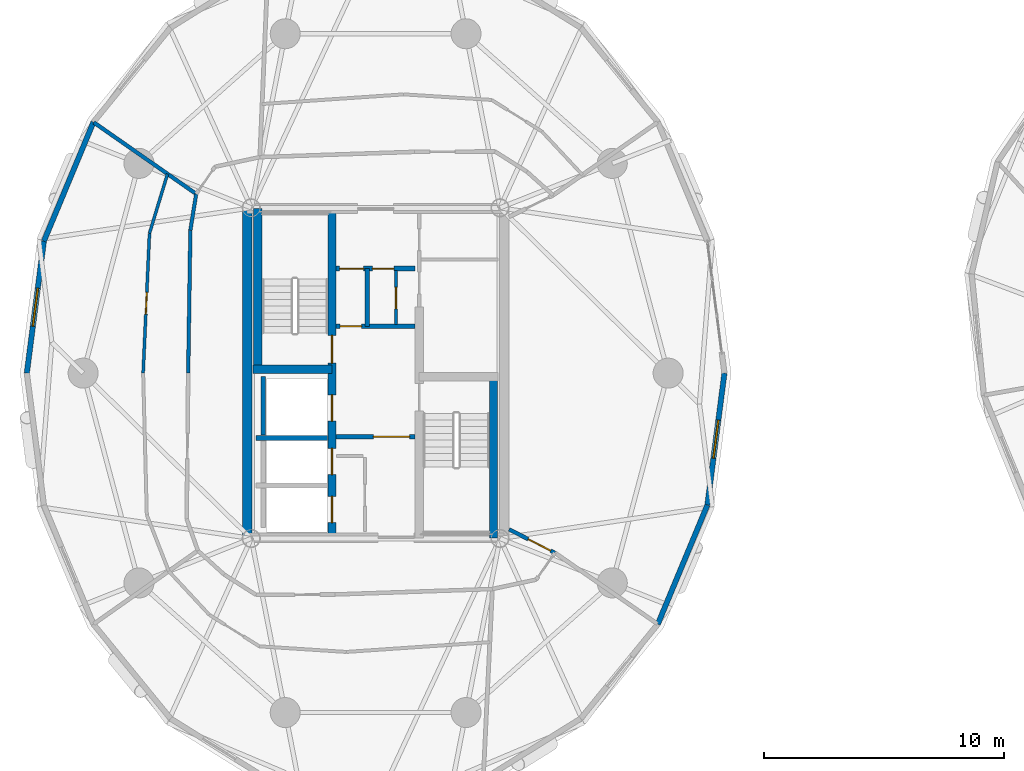
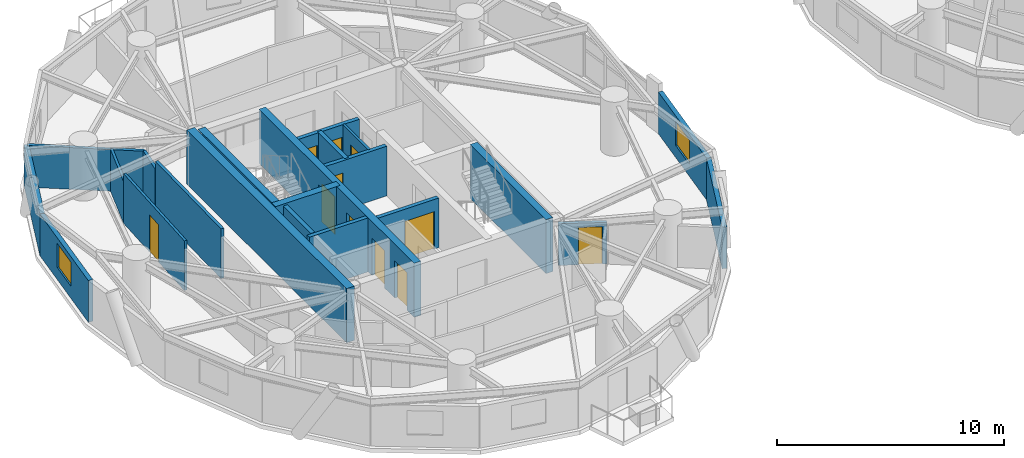
# One storey, part 9 of 17: 22 walls, 11 doors, 2 windows, 13 openings.
"""IFC4 building model written with IfcOpenShell, lengths in metres."""

from ifc_helpers import new_model, si_unit, direction, frame, frame_2d, origin, place, context, subcontext, project, spatial, rectangle, extrude, source, transform, mapped, material, layer, layer_set, type_object, element, fill, save


model = new_model("IFC4")

# Units and contexts
model_context = context("Model", 3, precision=1e-05, world=origin(), true_north=direction((0.0, 1.0)))
body_context = subcontext(model_context, "Body", "Model", "MODEL_VIEW")
ifc_project = project(units=[si_unit("LENGTHUNIT", "METRE"), si_unit("AREAUNIT", "SQUARE_METRE"), si_unit("VOLUMEUNIT", "CUBIC_METRE"), si_unit("PLANEANGLEUNIT", "RADIAN"), si_unit("MASSUNIT", "GRAM", prefix="KILO")], contexts=[model_context])

# Site, building, storey
site_placement = place(None, origin())
site = spatial("IfcSite", under=ifc_project, at=site_placement, CompositionType="ELEMENT")
building_placement = place(site_placement, origin())
building = spatial("IfcBuilding", under=site, at=building_placement, Name="Cununo Teusaquillo Station Towers", CompositionType="ELEMENT")
storey_placement = place(building_placement, frame((0.0, 0.0, 163.239990234375)))
storey = spatial("IfcBuildingStorey", under=building, at=storey_placement, Name="L51", CompositionType="ELEMENT", Elevation=163.239990234375)

# Walls
ifc_material_1 = material(Name="Concrete C50/60", Category="concrete")
ifc_layer_1 = layer(ifc_material_1, 0.199951171875)
ifc_layer_set_1 = layer_set([ifc_layer_1], Name="Concrete C50/60")
wall_type_1 = type_object("IfcWallType", Name="WL-CORE-200", PredefinedType="SHEAR", material=ifc_layer_set_1)
wall_1_placement = place(storey_placement, frame((11.52001953125, 21.800048828125, 0.0), z_axis=(0.0, 0.0, 1.0), x_axis=(1.0, 0.0, 0.0)))
element("IfcWall", 1, at=wall_1_placement, inside=storey, type_object=wall_type_1, Name="L51 Tower A Firefighting Lift Shaft South Shear Wall", PredefinedType="SHEAR", context=body_context, shape_type="SweptSolid", body=[
    extrude(rectangle(XDim=2.969970703125, YDim=0.199951171875, at=frame_2d((1.48486328125, 0.0))), origin(), (0.0, 0.0, 1.0), 2.909912109375),
])
wall_2_placement = place(storey_placement, frame((11.820068359375, 21.919921875, 0.0), z_axis=(0.0, 0.0, 1.0), x_axis=(0.0, 1.0, 0.0)))
element("IfcWall", 2, at=wall_2_placement, inside=storey, type_object=wall_type_1, Name="L51 Tower A Firefighting Lift Shaft Rear Shear Wall", PredefinedType="SHEAR", context=body_context, shape_type="SweptSolid", body=[
    extrude(rectangle(XDim=2.440185546875, YDim=0.199951171875, at=frame_2d((1.22021484375, 0.0))), origin(), (0.0, 0.0, 1.0), 2.909912109375),
])

# Wall, openings, doors
ifc_material_2 = material(Name="Concrete C50/60", Category="concrete")
ifc_layer_2 = layer(ifc_material_2, 0.35009765625)
ifc_layer_set_2 = layer_set([ifc_layer_2], Name="Concrete C50/60")
wall_type_2 = type_object("IfcWallType", Name="WL-CORE-350", PredefinedType="SHEAR", material=ifc_layer_set_2)
wall_3_placement = place(storey_placement, frame((14.68505859375, 17.64990234375, 0.0), z_axis=(0.0, 0.0, 1.0), x_axis=(0.0, 1.0, 0.0)))
wall_3 = element("IfcWall", 3, at=wall_3_placement, inside=storey, type_object=wall_type_2, Name="L51 Tower A Core Shear Wall IW", PredefinedType="SHEAR", context=body_context, shape_type="SweptSolid", body=[
    extrude(rectangle(XDim=13.7001953125, YDim=0.35009765625, at=frame_2d((6.85009765625, 0.0))), origin(), (0.0, 0.0, 1.0), 2.909912109375),
])
shared_shape_1 = source(origin(), body_context, "Body", "SweptSolid", [
    extrude(rectangle(XDim=1.10009765625, YDim=2.014892578125, at=frame_2d((0.550048828125, 1.00732421875))), frame((0.0, 0.18505859375, 0.0), z_axis=(0.0, -1.0, 0.0), x_axis=(1.0, 0.0, 0.0)), (0.0, 0.0, 1.0), 0.3701171875),
])
opening_1_placement = place(wall_3_placement, frame((4.85009765625, 0.0, 0.0)))
opening_1 = element("IfcOpeningElement", 4, at=opening_1_placement, cuts=wall_3, Name="Opening LD-01", PredefinedType="OPENING", context=body_context, shape_type="MappedRepresentation", body=[
    mapped(shared_shape_1, transform((0.0, 0.0, 0.0), x_axis=(1.0, 0.0, 0.0), y_axis=(0.0, 1.0, 0.0), z_axis=(0.0, 0.0, 1.0), scale=1.0)),
])
opening_2_placement = place(wall_3_placement, frame((0.625, 0.0, 0.0)))
opening_2 = element("IfcOpeningElement", 5, at=opening_2_placement, cuts=wall_3, Name="Opening LD-01", PredefinedType="OPENING", context=body_context, shape_type="MappedRepresentation", body=[
    mapped(shared_shape_1, transform((0.0, 0.0, 0.0), x_axis=(1.0, 0.0, 0.0), y_axis=(0.0, 1.0, 0.0), z_axis=(0.0, 0.0, 1.0), scale=1.0)),
])
opening_3_placement = place(wall_3_placement, frame((2.625, 0.0, 0.0)))
opening_3 = element("IfcOpeningElement", 6, at=opening_3_placement, cuts=wall_3, Name="Opening LD-01", PredefinedType="OPENING", context=body_context, shape_type="MappedRepresentation", body=[
    mapped(shared_shape_1, transform((0.0, 0.0, 0.0), x_axis=(1.0, 0.0, 0.0), y_axis=(0.0, 1.0, 0.0), z_axis=(0.0, 0.0, 1.0), scale=1.0)),
])
shared_shape_2 = source(origin(), body_context, "Body", "SweptSolid", [
    extrude(rectangle(XDim=1.14990234375, YDim=2.02001953125, at=frame_2d((0.574951171875, 1.010009765625))), frame((0.0, 0.18505859375, 0.0), z_axis=(0.0, -1.0, 0.0), x_axis=(1.0, 0.0, 0.0)), (0.0, 0.0, 1.0), 0.3701171875),
])
opening_4_placement = place(wall_3_placement, frame((7.27001953125, 0.0, 0.0)))
opening_4 = element("IfcOpeningElement", 7, at=opening_4_placement, cuts=wall_3, Name="Opening D-ST1", PredefinedType="OPENING", context=body_context, shape_type="MappedRepresentation", body=[
    mapped(shared_shape_2, transform((0.0, 0.0, 0.0), x_axis=(1.0, 0.0, 0.0), y_axis=(0.0, 1.0, 0.0), z_axis=(0.0, 0.0, 1.0), scale=1.0)),
])
ifc_material_3 = material(Name="Galvanised fire-rated hollow steel door assembly", Category="steel")
door_type_1 = type_object("IfcDoorType", Name="DR-LIFT-1100", OperationType="SLIDING_TO_LEFT", PredefinedType="DOOR", material=ifc_material_3)
shared_shape_3 = source(origin(), body_context, "Body", "SweptSolid", [
    extrude(rectangle(XDim=1.10009765625, YDim=2.014892578125, at=frame_2d((0.550048828125, 1.00732421875))), frame((0.0, 0.02490234375, 0.0), z_axis=(0.0, -1.0, 0.0), x_axis=(1.0, 0.0, 0.0)), (0.0, 0.0, 1.0), 0.050048828125),
])
door_1_placement = place(opening_1_placement, origin())
door_1 = element("IfcDoor", 8, at=door_1_placement, inside=storey, type_object=door_type_1, Name="L51 Lift FL-T1 Sliding Landing Door", OperationType="SLIDING_TO_RIGHT", OverallHeight=2.014892578125, OverallWidth=1.10009765625, PredefinedType="DOOR", context=body_context, shape_type="MappedRepresentation", body=[
    mapped(shared_shape_3, transform((0.0, 0.0, 0.0), x_axis=(1.0, 0.0, 0.0), y_axis=(0.0, 1.0, 0.0), z_axis=(0.0, 0.0, 1.0), scale=1.0)),
])
fill(opening_1, door_1)
door_2_placement = place(opening_2_placement, origin())
door_2 = element("IfcDoor", 9, at=door_2_placement, inside=storey, type_object=door_type_1, Name="L51 Lift PL-T1-H1 Sliding Landing Door", OperationType="SLIDING_TO_LEFT", OverallHeight=2.014892578125, OverallWidth=1.10009765625, PredefinedType="DOOR", context=body_context, shape_type="MappedRepresentation", body=[
    mapped(shared_shape_3, transform((0.0, 0.0, 0.0), x_axis=(1.0, 0.0, 0.0), y_axis=(0.0, 1.0, 0.0), z_axis=(0.0, 0.0, 1.0), scale=1.0)),
])
fill(opening_2, door_2)
door_3_placement = place(opening_3_placement, origin())
door_3 = element("IfcDoor", 10, at=door_3_placement, inside=storey, type_object=door_type_1, Name="L51 Lift PL-T1-H2 Sliding Landing Door", OperationType="SLIDING_TO_RIGHT", OverallHeight=2.014892578125, OverallWidth=1.10009765625, PredefinedType="DOOR", context=body_context, shape_type="MappedRepresentation", body=[
    mapped(shared_shape_3, transform((0.0, 0.0, 0.0), x_axis=(1.0, 0.0, 0.0), y_axis=(0.0, 1.0, 0.0), z_axis=(0.0, 0.0, 1.0), scale=1.0)),
])
fill(opening_3, door_3)
ifc_material_4 = material(Name="Galvanised fire-rated hollow steel door assembly", Category="steel")
door_type_2 = type_object("IfcDoorType", Name="DR-STAIR-1150", OperationType="NOTDEFINED", PredefinedType="DOOR", material=ifc_material_4)
shared_shape_4 = source(origin(), body_context, "Body", "SweptSolid", [
    extrude(rectangle(XDim=1.14990234375, YDim=2.02001953125, at=frame_2d((0.574951171875, 1.010009765625))), frame((0.0, 0.02490234375, 0.0), z_axis=(0.0, -1.0, 0.0), x_axis=(1.0, 0.0, 0.0)), (0.0, 0.0, 1.0), 0.050048828125),
])
door_4_placement = place(opening_4_placement, origin())
door_4 = element("IfcDoor", 11, at=door_4_placement, inside=storey, type_object=door_type_2, Name="L51 Tower A Exit Stair 1 Fire Door", OperationType="SINGLE_SWING_RIGHT", OverallHeight=2.02001953125, OverallWidth=1.14990234375, PredefinedType="DOOR", context=body_context, shape_type="MappedRepresentation", body=[
    mapped(shared_shape_4, transform((0.0, 0.0, 0.0), x_axis=(1.0, 0.0, 0.0), y_axis=(0.0, 1.0, 0.0), z_axis=(0.0, 0.0, 1.0), scale=1.0)),
])
fill(opening_4, door_4)

# Walls
wall_4_placement = place(storey_placement, frame((11.594970703125, 24.655029296875, 0.0), z_axis=(0.0, 0.0, 1.0), x_axis=(0.0, 1.0, 0.0)))
element("IfcWall", 12, at=wall_4_placement, inside=storey, type_object=wall_type_2, Name="L51 Tower A Core Shear Wall ST1W", PredefinedType="SHEAR", context=body_context, shape_type="SweptSolid", body=[
    extrude(rectangle(XDim=6.695068359375, YDim=0.35009765625, at=frame_2d((3.34765625, 0.0))), origin(), (0.0, 0.0, 1.0), 2.909912109375),
])
wall_5_placement = place(storey_placement, frame((11.39990234375, 24.655029296875, 0.0), z_axis=(0.0, 0.0, 1.0), x_axis=(1.0, 0.0, 0.0)))
element("IfcWall", 13, at=wall_5_placement, inside=storey, type_object=wall_type_2, Name="L51 Tower A Core Shear Wall ST1S", PredefinedType="SHEAR", context=body_context, shape_type="SweptSolid", body=[
    extrude(rectangle(XDim=3.28515625, YDim=0.35009765625, at=frame_2d((1.642578125, 0.0))), origin(), (0.0, 0.0, 1.0), 2.909912109375),
])
wall_6_placement = place(storey_placement, frame((21.405029296875, 17.64990234375, 0.0), z_axis=(0.0, 0.0, 1.0), x_axis=(0.0, 1.0, 0.0)))
element("IfcWall", 14, at=wall_6_placement, inside=storey, type_object=wall_type_2, Name="L51 Tower A Core Shear Wall ST2E", PredefinedType="SHEAR", context=body_context, shape_type="SweptSolid", body=[
    extrude(rectangle(XDim=6.695068359375, YDim=0.35009765625, at=frame_2d((3.34765625, 0.0))), origin(), (0.0, 0.0, 1.0), 2.909912109375),
])
ifc_material_5 = material(Name="Concrete C50/60", Category="concrete")
ifc_layer_3 = layer(ifc_material_5, 0.39990234375)
ifc_layer_set_3 = layer_set([ifc_layer_3], Name="Concrete C50/60")
wall_type_3 = type_object("IfcWallType", Name="WL-CORE-400", PredefinedType="SHEAR", material=ifc_layer_set_3)
wall_7_placement = place(storey_placement, frame((11.14990234375, 17.449951171875, 0.0), z_axis=(0.0, 0.0, 1.0), x_axis=(0.0, 1.0, 0.0)))
element("IfcWall", 15, at=wall_7_placement, inside=storey, type_object=wall_type_3, Name="L51 Tower A Core Shear Wall W", PredefinedType="SHEAR", context=body_context, shape_type="SweptSolid", body=[
    extrude(rectangle(XDim=14.10009765625, YDim=0.39990234375, at=frame_2d((7.050048828125, 0.0))), origin(), (0.0, 0.0, 1.0), 2.909912109375),
])
ifc_material_6 = material(Name="Precast concrete C40/50", Category="concrete")
ifc_layer_4 = layer(ifc_material_6, 0.219970703125)
ifc_layer_set_4 = layer_set([ifc_layer_4], Name="Precast concrete C40/50")
wall_type_4 = type_object("IfcWallType", Name="WL-EXT-220", PredefinedType="SOLIDWALL", material=ifc_layer_set_4)
wall_8_placement = place(storey_placement, frame((2.6953125, 29.9912109375, 0.0), z_axis=(0.0, 0.0, 1.0), x_axis=(0.384259959969, 0.923224936386, 0.0)))
element("IfcWall", 16, at=wall_8_placement, inside=storey, type_object=wall_type_4, Name="L51 Tower A Exterior Facade Wall C08", PredefinedType="SOLIDWALL", context=body_context, shape_type="SweptSolid", body=[
    extrude(rectangle(XDim=5.365478515625, YDim=0.219970703125, at=frame_2d((2.6826171875, 0.0))), origin(), (0.0, 0.0, 1.0), 2.2451171875),
])

# Wall, opening, window
wall_9_placement = place(storey_placement, frame((1.985107421875, 24.5, 0.0), z_axis=(0.0, 0.0, 1.0), x_axis=(0.128266533912, 0.991739732126, 0.0)))
wall_9 = element("IfcWall", 17, at=wall_9_placement, inside=storey, type_object=wall_type_4, Name="L51 Tower A Exterior Facade Wall C09", PredefinedType="SOLIDWALL", context=body_context, shape_type="SweptSolid", body=[
    extrude(rectangle(XDim=5.536865234375, YDim=0.219970703125, at=frame_2d((2.7685546875, 0.0))), origin(), (0.0, 0.0, 1.0), 2.2451171875),
])
shared_shape_5 = source(origin(), body_context, "Body", "SweptSolid", [
    extrude(rectangle(XDim=1.60009765625, YDim=1.300048828125, at=frame_2d((0.800048828125, 0.64990234375))), frame((0.0, 0.119873046875, 0.0), z_axis=(0.0, -1.0, 0.0), x_axis=(1.0, 0.0, 0.0)), (0.0, 0.0, 1.0), 0.239990234375),
])
opening_5_placement = place(wall_9_placement, frame((1.968017578125, 0.0, 0.64990234375)))
opening_5 = element("IfcOpeningElement", 18, at=opening_5_placement, cuts=wall_9, Name="Opening WN-03", PredefinedType="OPENING", context=body_context, shape_type="MappedRepresentation", body=[
    mapped(shared_shape_5, transform((0.0, 0.0, 0.0), x_axis=(1.0, 0.0, 0.0), y_axis=(0.0, 1.0, 0.0), z_axis=(0.0, 0.0, 1.0), scale=1.0)),
])
ifc_material_7 = material(Name="Ceramic-fritted dark low-E double glazing", Category="glass")
window_type = type_object("IfcWindowType", Name="WIN-CORN-1600", PartitioningType="SINGLE_PANEL", PredefinedType="WINDOW", material=ifc_material_7)
shared_shape_6 = source(origin(), body_context, "Body", "SweptSolid", [
    extrude(rectangle(XDim=1.60009765625, YDim=1.300048828125, at=frame_2d((0.800048828125, 0.64990234375))), frame((0.0, 0.030029296875, 0.0), z_axis=(0.0, -1.0, 0.0), x_axis=(1.0, 0.0, 0.0)), (0.0, 0.0, 1.0), 0.06005859375),
])
window_1_placement = place(opening_5_placement, origin())
window_1 = element("IfcWindow", 19, at=window_1_placement, inside=storey, type_object=window_type, Name="L51 Tower A Facade Window C09", OverallHeight=1.300048828125, OverallWidth=1.60009765625, PartitioningType="SINGLE_PANEL", PredefinedType="WINDOW", context=body_context, shape_type="MappedRepresentation", body=[
    mapped(shared_shape_6, transform((0.0, 0.0, 0.0), x_axis=(1.0, 0.0, 0.0), y_axis=(0.0, 1.0, 0.0), z_axis=(0.0, 0.0, 1.0), scale=1.0)),
])
fill(opening_5, window_1)

# Wall
wall_10_placement = place(storey_placement, frame((30.3046875, 19.0087890625, 0.0), z_axis=(0.0, 0.0, 1.0), x_axis=(-0.384259959969, -0.923224936386, 0.0)))
element("IfcWall", 20, at=wall_10_placement, inside=storey, type_object=wall_type_4, Name="L51 Tower A Exterior Facade Wall C18", PredefinedType="SOLIDWALL", context=body_context, shape_type="SweptSolid", body=[
    extrude(rectangle(XDim=5.365478515625, YDim=0.219970703125, at=frame_2d((2.6826171875, 0.0))), origin(), (0.0, 0.0, 1.0), 2.2451171875),
])

# Wall, opening, window
wall_11_placement = place(storey_placement, frame((31.014892578125, 24.5, 0.0), z_axis=(0.0, 0.0, 1.0), x_axis=(-0.128266533912, -0.991739732126, 0.0)))
wall_11 = element("IfcWall", 21, at=wall_11_placement, inside=storey, type_object=wall_type_4, Name="L51 Tower A Exterior Facade Wall C19", PredefinedType="SOLIDWALL", context=body_context, shape_type="SweptSolid", body=[
    extrude(rectangle(XDim=5.536865234375, YDim=0.219970703125, at=frame_2d((2.7685546875, 0.0))), origin(), (0.0, 0.0, 1.0), 2.2451171875),
])
opening_6_placement = place(wall_11_placement, frame((1.968017578125, 0.0, 0.64990234375)))
opening_6 = element("IfcOpeningElement", 22, at=opening_6_placement, cuts=wall_11, Name="Opening WN-03", PredefinedType="OPENING", context=body_context, shape_type="MappedRepresentation", body=[
    mapped(shared_shape_5, transform((0.0, 0.0, 0.0), x_axis=(1.0, 0.0, 0.0), y_axis=(0.0, 1.0, 0.0), z_axis=(0.0, 0.0, 1.0), scale=1.0)),
])
window_2_placement = place(opening_6_placement, origin())
window_2 = element("IfcWindow", 23, at=window_2_placement, inside=storey, type_object=window_type, Name="L51 Tower A Facade Window C19", OverallHeight=1.300048828125, OverallWidth=1.60009765625, PartitioningType="SINGLE_PANEL", PredefinedType="WINDOW", context=body_context, shape_type="MappedRepresentation", body=[
    mapped(shared_shape_6, transform((0.0, 0.0, 0.0), x_axis=(1.0, 0.0, 0.0), y_axis=(0.0, 1.0, 0.0), z_axis=(0.0, 0.0, 1.0), scale=1.0)),
])
fill(opening_6, window_2)

# Wall, opening, door
ifc_material_8 = material(Name="Fire-rated gypsum plasterboard partition assembly", Category="gypsum")
ifc_layer_5 = layer(ifc_material_8, 0.125)
ifc_layer_set_5 = layer_set([ifc_layer_5], Name="Fire-rated gypsum plasterboard partition assembly")
wall_type_5 = type_object("IfcWallType", Name="WL-PART-125", PredefinedType="PARTITIONING", material=ifc_layer_set_5)
wall_12_placement = place(storey_placement, frame((17.35009765625, 26.52001953125, 0.0), z_axis=(0.0, 0.0, 1.0), x_axis=(0.0, 1.0, 0.0)))
wall_12 = element("IfcWall", 24, at=wall_12_placement, inside=storey, type_object=wall_type_5, Name="L51 Tower A Core Vertical Split Wall", PredefinedType="PARTITIONING", context=body_context, shape_type="SweptSolid", body=[
    extrude(rectangle(XDim=2.260009765625, YDim=0.125, at=frame_2d((1.1298828125, 0.0))), origin(), (0.0, 0.0, 1.0), 2.675048828125),
])
shared_shape_7 = source(origin(), body_context, "Body", "SweptSolid", [
    extrude(rectangle(XDim=0.89990234375, YDim=2.0048828125, at=frame_2d((0.449951171875, 1.00244140625))), frame((0.0, 0.072509765625, 0.0), z_axis=(0.0, -1.0, 0.0), x_axis=(1.0, 0.0, 0.0)), (0.0, 0.0, 1.0), 0.14501953125),
])
opening_7_placement = place(wall_12_placement, frame((0.64990234375, 0.0, 0.0)))
opening_7 = element("IfcOpeningElement", 25, at=opening_7_placement, cuts=wall_12, Name="Opening D-SR1", PredefinedType="OPENING", context=body_context, shape_type="MappedRepresentation", body=[
    mapped(shared_shape_7, transform((0.0, 0.0, 0.0), x_axis=(1.0, 0.0, 0.0), y_axis=(0.0, 1.0, 0.0), z_axis=(0.0, 0.0, 1.0), scale=1.0)),
])
ifc_material_9 = material(Name="Galvanised fire-rated hollow steel door assembly", Category="steel")
door_type_3 = type_object("IfcDoorType", Name="DR-STORE-900", OperationType="NOTDEFINED", PredefinedType="DOOR", material=ifc_material_9)
shared_shape_8 = source(origin(), body_context, "Body", "SweptSolid", [
    extrude(rectangle(XDim=0.89990234375, YDim=2.0048828125, at=frame_2d((0.449951171875, 1.00244140625))), frame((0.0, 0.02490234375, 0.0), z_axis=(0.0, -1.0, 0.0), x_axis=(1.0, 0.0, 0.0)), (0.0, 0.0, 1.0), 0.050048828125),
])
door_5_placement = place(opening_7_placement, origin())
door_5 = element("IfcDoor", 26, at=door_5_placement, inside=storey, type_object=door_type_3, Name="L51 Tower A Core Electrical Room Door", OperationType="SINGLE_SWING_RIGHT", OverallHeight=2.0048828125, OverallWidth=0.89990234375, PredefinedType="DOOR", context=body_context, shape_type="MappedRepresentation", body=[
    mapped(shared_shape_8, transform((0.0, 0.0, 0.0), x_axis=(1.0, 0.0, 0.0), y_axis=(0.0, 1.0, 0.0), z_axis=(0.0, 0.0, 1.0), scale=1.0)),
])
fill(opening_7, door_5)

# Wall
wall_13_placement = place(storey_placement, frame((7.840087890625, 32.791015625, 0.0), z_axis=(0.0, 0.0, 1.0), x_axis=(-0.290387415435, -0.956909164423, 0.0)))
element("IfcWall", 27, at=wall_13_placement, inside=storey, type_object=wall_type_5, Name="L51 Tower A Sabana Wellness & Spa Lounge Concentric Partition Wall C08", PredefinedType="PARTITIONING", context=body_context, shape_type="SweptSolid", body=[
    extrude(rectangle(XDim=2.585205078125, YDim=0.125, at=frame_2d((1.29248046875, 0.0))), origin(), (0.0, 0.0, 1.0), 2.2451171875),
])

# Wall, opening, door
wall_14_placement = place(storey_placement, frame((7.08935546875, 30.317138671875, 0.0), z_axis=(0.0, 0.0, 1.0), x_axis=(-0.045322079706, -0.998972426592, 0.0)))
wall_14 = element("IfcWall", 28, at=wall_14_placement, inside=storey, type_object=wall_type_5, Name="L51 Tower A Sabana Wellness & Spa Lounge Concentric Partition Wall C09", PredefinedType="PARTITIONING", context=body_context, shape_type="SweptSolid", body=[
    extrude(rectangle(XDim=5.8232421875, YDim=0.125, at=frame_2d((2.91162109375, 0.0))), origin(), (0.0, 0.0, 1.0), 2.675048828125),
])
opening_8_placement = place(wall_14_placement, frame((2.461669921875, 0.0, 0.0)))
opening_8 = element("IfcOpeningElement", 29, at=opening_8_placement, cuts=wall_14, Name="Opening D-IN1", PredefinedType="OPENING", context=body_context, shape_type="MappedRepresentation", body=[
    mapped(shared_shape_7, transform((0.0, 0.0, 0.0), x_axis=(1.0, 0.0, 0.0), y_axis=(0.0, 1.0, 0.0), z_axis=(0.0, 0.0, 1.0), scale=1.0)),
])
ifc_material_10 = material(Name="Acoustic solid-core hardwood leaf assembly", Category="wood")
door_type_4 = type_object("IfcDoorType", Name="DR-INT-900", OperationType="NOTDEFINED", PredefinedType="DOOR", material=ifc_material_10)
door_6_placement = place(opening_8_placement, origin())
door_6 = element("IfcDoor", 30, at=door_6_placement, inside=storey, type_object=door_type_4, Name="L51 Tower A Sabana Wellness & Spa Lounge Connecting Door", OperationType="SINGLE_SWING_LEFT", OverallHeight=2.0048828125, OverallWidth=0.89990234375, PredefinedType="DOOR", context=body_context, shape_type="MappedRepresentation", body=[
    mapped(shared_shape_8, transform((0.0, 0.0, 0.0), x_axis=(1.0, 0.0, 0.0), y_axis=(0.0, 1.0, 0.0), z_axis=(0.0, 0.0, 1.0), scale=1.0)),
])
fill(opening_8, door_6)

# Walls
ifc_material_11 = material(Name="Fire-rated gypsum plasterboard partition assembly", Category="gypsum")
ifc_layer_6 = layer(ifc_material_11, 0.14990234375)
ifc_layer_set_6 = layer_set([ifc_layer_6], Name="Fire-rated gypsum plasterboard partition assembly")
wall_type_6 = type_object("IfcWallType", Name="WL-PART-150", PredefinedType="PARTITIONING", material=ifc_layer_set_6)
wall_15_placement = place(storey_placement, frame((9.032958984375, 31.9580078125, 0.0), z_axis=(0.0, 0.0, 1.0), x_axis=(-0.158344987388, -0.98738384885, 0.0)))
element("IfcWall", 31, at=wall_15_placement, inside=storey, type_object=wall_type_6, Name="L51 Tower A Corridor Ring Wall C08", PredefinedType="PARTITIONING", context=body_context, shape_type="SweptSolid", body=[
    extrude(rectangle(XDim=1.531005859375, YDim=0.14990234375, at=frame_2d((0.765625, 0.0))), origin(), (0.0, 0.0, 1.0), 2.2451171875),
])
wall_16_placement = place(storey_placement, frame((8.79052734375, 30.4462890625, 0.0), z_axis=(0.0, 0.0, 1.0), x_axis=(-0.015230619426, -0.999884007389, 0.0)))
element("IfcWall", 32, at=wall_16_placement, inside=storey, type_object=wall_type_6, Name="L51 Tower A Corridor Ring Wall C09", PredefinedType="PARTITIONING", context=body_context, shape_type="SweptSolid", body=[
    extrude(rectangle(XDim=5.947021484375, YDim=0.14990234375, at=frame_2d((2.9736328125, 0.0))), origin(), (0.0, 0.0, 1.0), 2.675048828125),
])
ifc_material_12 = material(Name="Fire-rated gypsum plasterboard partition assembly", Category="gypsum")
ifc_layer_7 = layer(ifc_material_12, 0.159912109375)
ifc_layer_set_7 = layer_set([ifc_layer_7], Name="Fire-rated gypsum plasterboard partition assembly")
wall_type_7 = type_object("IfcWallType", Name="WL-PART-160", PredefinedType="PARTITIONING", material=ifc_layer_set_7)
wall_17_placement = place(storey_placement, frame((9.032958984375, 31.9580078125, 0.0), z_axis=(0.0, 0.0, 1.0), x_axis=(-0.819840720998, 0.572591645236, 0.0)))
element("IfcWall", 33, at=wall_17_placement, inside=storey, type_object=wall_type_7, Name="L51 Tower A Radial Suite Partition R03", PredefinedType="PARTITIONING", context=body_context, shape_type="SweptSolid", body=[
    extrude(rectangle(XDim=5.19580078125, YDim=0.159912109375, at=frame_2d((2.597900390625, 0.0))), origin(), (0.0, 0.0, 1.0), 2.2451171875),
])

# Wall, opening, door
wall_18_placement = place(storey_placement, frame((22.050048828125, 18.0, 0.0), z_axis=(0.0, 0.0, 1.0), x_axis=(0.890660222535, -0.454669515136, 0.0)))
wall_18 = element("IfcWall", 34, at=wall_18_placement, inside=storey, type_object=wall_type_7, Name="L51 Tower A East Salon Corridor Portal Wall SE", PredefinedType="PARTITIONING", context=body_context, shape_type="SweptSolid", body=[
    extrude(rectangle(XDim=2.1435546875, YDim=0.159912109375, at=frame_2d((1.07177734375, 0.0))), origin(), (0.0, 0.0, 1.0), 2.2451171875),
])
shared_shape_9 = source(origin(), body_context, "Body", "SweptSolid", [
    extrude(rectangle(XDim=1.050048828125, YDim=2.014892578125, at=frame_2d((0.52490234375, 1.00732421875))), frame((0.0, 0.08984375, 0.0), z_axis=(0.0, -1.0, 0.0), x_axis=(1.0, 0.0, 0.0)), (0.0, 0.0, 1.0), 0.179931640625),
])
opening_9_placement = place(wall_18_placement, frame((0.8935546875, 0.0, 0.0)))
opening_9 = element("IfcOpeningElement", 35, at=opening_9_placement, cuts=wall_18, Name="Opening D-SU1", PredefinedType="OPENING", context=body_context, shape_type="MappedRepresentation", body=[
    mapped(shared_shape_9, transform((0.0, 0.0, 0.0), x_axis=(1.0, 0.0, 0.0), y_axis=(0.0, 1.0, 0.0), z_axis=(0.0, 0.0, 1.0), scale=1.0)),
])
ifc_material_13 = material(Name="Acoustic solid-core hardwood leaf assembly", Category="wood")
door_type_5 = type_object("IfcDoorType", Name="DR-SUITE-1050", OperationType="NOTDEFINED", PredefinedType="DOOR", material=ifc_material_13)
shared_shape_10 = source(origin(), body_context, "Body", "SweptSolid", [
    extrude(rectangle(XDim=1.050048828125, YDim=2.014892578125, at=frame_2d((0.52490234375, 1.00732421875))), frame((0.0, 0.02490234375, 0.0), z_axis=(0.0, -1.0, 0.0), x_axis=(1.0, 0.0, 0.0)), (0.0, 0.0, 1.0), 0.050048828125),
])
door_7_placement = place(opening_9_placement, origin())
door_7 = element("IfcDoor", 36, at=door_7_placement, inside=storey, type_object=door_type_5, Name="L51 Tower A East Panorama Sky Salon Door SE", OperationType="SINGLE_SWING_RIGHT", OverallHeight=2.014892578125, OverallWidth=1.050048828125, PredefinedType="DOOR", context=body_context, shape_type="MappedRepresentation", body=[
    mapped(shared_shape_10, transform((0.0, 0.0, 0.0), x_axis=(1.0, 0.0, 0.0), y_axis=(0.0, 1.0, 0.0), z_axis=(0.0, 0.0, 1.0), scale=1.0)),
])
fill(opening_9, door_7)

ifc_material_14 = material(Name="Fire-rated gypsum plasterboard partition assembly", Category="gypsum")
ifc_layer_8 = layer(ifc_material_14, 0.199951171875)
ifc_layer_set_8 = layer_set([ifc_layer_8], Name="Fire-rated gypsum plasterboard partition assembly")
wall_type_8 = type_object("IfcWallType", Name="WL-PART-200", PredefinedType="PARTITIONING", material=ifc_layer_set_8)
wall_19_placement = place(storey_placement, frame((14.860107421875, 21.85009765625, 0.0), z_axis=(0.0, 0.0, 1.0), x_axis=(1.0, 0.0, 0.0)))
wall_19 = element("IfcWall", 37, at=wall_19_placement, inside=storey, type_object=wall_type_8, Name="L51 Tower A Firefighting Lift Lobby South Fire Wall", PredefinedType="PARTITIONING", context=body_context, shape_type="SweptSolid", body=[
    extrude(rectangle(XDim=3.27978515625, YDim=0.199951171875, at=frame_2d((1.639892578125, 0.0))), origin(), (0.0, 0.0, 1.0), 2.675048828125),
])
shared_shape_11 = source(origin(), body_context, "Body", "SweptSolid", [
    extrude(rectangle(XDim=1.5, YDim=2.02001953125, at=frame_2d((0.75, 1.010009765625))), frame((0.0, 0.10986328125, 0.0), z_axis=(0.0, -1.0, 0.0), x_axis=(1.0, 0.0, 0.0)), (0.0, 0.0, 1.0), 0.219970703125),
])
opening_10_placement = place(wall_19_placement, frame((1.550048828125, 0.0, 0.0)))
opening_10 = element("IfcOpeningElement", 38, at=opening_10_placement, cuts=wall_19, Name="Opening D-LB1", PredefinedType="OPENING", context=body_context, shape_type="MappedRepresentation", body=[
    mapped(shared_shape_11, transform((0.0, 0.0, 0.0), x_axis=(1.0, 0.0, 0.0), y_axis=(0.0, 1.0, 0.0), z_axis=(0.0, 0.0, 1.0), scale=1.0)),
])
ifc_material_15 = material(Name="Galvanised fire-rated hollow steel door assembly", Category="steel")
door_type_6 = type_object("IfcDoorType", Name="DR-LOBBY-1500", OperationType="DOUBLE_DOOR_SINGLE_SWING", PredefinedType="DOOR", material=ifc_material_15)
shared_shape_12 = source(origin(), body_context, "Body", "SweptSolid", [
    extrude(rectangle(XDim=1.5, YDim=2.02001953125, at=frame_2d((0.75, 1.010009765625))), frame((0.0, 0.02490234375, 0.0), z_axis=(0.0, -1.0, 0.0), x_axis=(1.0, 0.0, 0.0)), (0.0, 0.0, 1.0), 0.050048828125),
])
door_8_placement = place(opening_10_placement, origin())
door_8 = element("IfcDoor", 39, at=door_8_placement, inside=storey, type_object=door_type_6, Name="L51 Tower A Firefighting Lift Lobby South Fire Door", OperationType="DOUBLE_DOOR_SINGLE_SWING", OverallHeight=2.02001953125, OverallWidth=1.5, PredefinedType="DOOR", context=body_context, shape_type="MappedRepresentation", body=[
    mapped(shared_shape_12, transform((0.0, 0.0, 0.0), x_axis=(1.0, 0.0, 0.0), y_axis=(0.0, 1.0, 0.0), z_axis=(0.0, 0.0, 1.0), scale=1.0)),
])
fill(opening_10, door_8)

wall_20_placement = place(storey_placement, frame((14.860107421875, 26.449951171875, 0.0), z_axis=(0.0, 0.0, 1.0), x_axis=(1.0, 0.0, 0.0)))
wall_20 = element("IfcWall", 40, at=wall_20_placement, inside=storey, type_object=wall_type_8, Name="L51 Tower A Firefighting Lift Lobby North Fire Wall", PredefinedType="PARTITIONING", context=body_context, shape_type="SweptSolid", body=[
    extrude(rectangle(XDim=3.27978515625, YDim=0.199951171875, at=frame_2d((1.639892578125, 0.0))), origin(), (0.0, 0.0, 1.0), 2.675048828125),
])
shared_shape_13 = source(origin(), body_context, "Body", "SweptSolid", [
    extrude(rectangle(XDim=0.89990234375, YDim=2.0048828125, at=frame_2d((0.449951171875, 1.00244140625))), frame((0.0, 0.10986328125, 0.0), z_axis=(0.0, -1.0, 0.0), x_axis=(1.0, 0.0, 0.0)), (0.0, 0.0, 1.0), 0.219970703125),
])
opening_11_placement = place(wall_20_placement, frame((0.159912109375, 0.0, 0.0)))
opening_11 = element("IfcOpeningElement", 41, at=opening_11_placement, cuts=wall_20, Name="Opening D-SR1", PredefinedType="OPENING", context=body_context, shape_type="MappedRepresentation", body=[
    mapped(shared_shape_13, transform((0.0, 0.0, 0.0), x_axis=(1.0, 0.0, 0.0), y_axis=(0.0, 1.0, 0.0), z_axis=(0.0, 0.0, 1.0), scale=1.0)),
])
door_9_placement = place(opening_11_placement, origin())
door_9 = element("IfcDoor", 42, at=door_9_placement, inside=storey, type_object=door_type_3, Name="L51 Tower A Stair 1 Protected Vestibule South Door", OperationType="SINGLE_SWING_RIGHT", OverallHeight=2.0048828125, OverallWidth=0.89990234375, PredefinedType="DOOR", context=body_context, shape_type="MappedRepresentation", body=[
    mapped(shared_shape_8, transform((0.0, 0.0, 0.0), x_axis=(1.0, 0.0, 0.0), y_axis=(0.0, 1.0, 0.0), z_axis=(0.0, 0.0, 1.0), scale=1.0)),
])
fill(opening_11, door_9)

# Wall
wall_21_placement = place(storey_placement, frame((16.14990234375, 26.449951171875, 0.0), z_axis=(0.0, 0.0, 1.0), x_axis=(0.0, 1.0, 0.0)))
element("IfcWall", 43, at=wall_21_placement, inside=storey, type_object=wall_type_8, Name="L51 Tower A Stair 1 Vestibule Partition Wall", PredefinedType="PARTITIONING", context=body_context, shape_type="SweptSolid", body=[
    extrude(rectangle(XDim=2.400146484375, YDim=0.199951171875, at=frame_2d((1.2001953125, 0.0))), origin(), (0.0, 0.0, 1.0), 2.675048828125),
])

# Wall, openings, doors
wall_22_placement = place(storey_placement, frame((14.860107421875, 28.85009765625, 0.0), z_axis=(0.0, 0.0, 1.0), x_axis=(1.0, 0.0, 0.0)))
wall_22 = element("IfcWall", 44, at=wall_22_placement, inside=storey, type_object=wall_type_8, Name="L51 Tower A North Lift Lobby South Fire Wall", PredefinedType="PARTITIONING", context=body_context, shape_type="SweptSolid", body=[
    extrude(rectangle(XDim=3.27978515625, YDim=0.199951171875, at=frame_2d((1.639892578125, 0.0))), origin(), (0.0, 0.0, 1.0), 2.675048828125),
])
shared_shape_14 = source(origin(), body_context, "Body", "SweptSolid", [
    extrude(rectangle(XDim=1.0, YDim=2.014892578125, at=frame_2d((0.5, 1.00732421875))), frame((0.0, 0.10986328125, 0.0), z_axis=(0.0, -1.0, 0.0), x_axis=(1.0, 0.0, 0.0)), (0.0, 0.0, 1.0), 0.219970703125),
])
opening_12_placement = place(wall_22_placement, frame((0.139892578125, 0.0, 0.0)))
opening_12 = element("IfcOpeningElement", 45, at=opening_12_placement, cuts=wall_22, Name="Opening D-AC1", PredefinedType="OPENING", context=body_context, shape_type="MappedRepresentation", body=[
    mapped(shared_shape_14, transform((0.0, 0.0, 0.0), x_axis=(1.0, 0.0, 0.0), y_axis=(0.0, 1.0, 0.0), z_axis=(0.0, 0.0, 1.0), scale=1.0)),
])
opening_13_placement = place(wall_22_placement, frame((1.5, 0.0, 0.0)))
opening_13 = element("IfcOpeningElement", 46, at=opening_13_placement, cuts=wall_22, Name="Opening D-SR1", PredefinedType="OPENING", context=body_context, shape_type="MappedRepresentation", body=[
    mapped(shared_shape_13, transform((0.0, 0.0, 0.0), x_axis=(1.0, 0.0, 0.0), y_axis=(0.0, 1.0, 0.0), z_axis=(0.0, 0.0, 1.0), scale=1.0)),
])
door_10_placement = place(opening_13_placement, origin())
door_10 = element("IfcDoor", 47, at=door_10_placement, inside=storey, type_object=door_type_3, Name="L51 Tower A Core Housekeeping Store Door", OperationType="SINGLE_SWING_LEFT", OverallHeight=2.0048828125, OverallWidth=0.89990234375, PredefinedType="DOOR", context=body_context, shape_type="MappedRepresentation", body=[
    mapped(shared_shape_8, transform((0.0, 0.0, 0.0), x_axis=(1.0, 0.0, 0.0), y_axis=(0.0, 1.0, 0.0), z_axis=(0.0, 0.0, 1.0), scale=1.0)),
])
fill(opening_13, door_10)
ifc_material_16 = material(Name="Acoustic solid-core hardwood leaf assembly", Category="wood")
door_type_7 = type_object("IfcDoorType", Name="DR-ACC-1000", OperationType="NOTDEFINED", PredefinedType="DOOR", material=ifc_material_16)
shared_shape_15 = source(origin(), body_context, "Body", "SweptSolid", [
    extrude(rectangle(XDim=1.0, YDim=2.014892578125, at=frame_2d((0.5, 1.00732421875))), frame((0.0, 0.02490234375, 0.0), z_axis=(0.0, -1.0, 0.0), x_axis=(1.0, 0.0, 0.0)), (0.0, 0.0, 1.0), 0.050048828125),
])
door_11_placement = place(opening_12_placement, origin())
door_11 = element("IfcDoor", 48, at=door_11_placement, inside=storey, type_object=door_type_7, Name="L51 Tower A North Lift Lobby to Stair 1 Vestibule Door", OperationType="SINGLE_SWING_LEFT", OverallHeight=2.014892578125, OverallWidth=1.0, PredefinedType="DOOR", context=body_context, shape_type="MappedRepresentation", body=[
    mapped(shared_shape_15, transform((0.0, 0.0, 0.0), x_axis=(1.0, 0.0, 0.0), y_axis=(0.0, 1.0, 0.0), z_axis=(0.0, 0.0, 1.0), scale=1.0)),
])
fill(opening_12, door_11)

save(model, "model.ifc")
